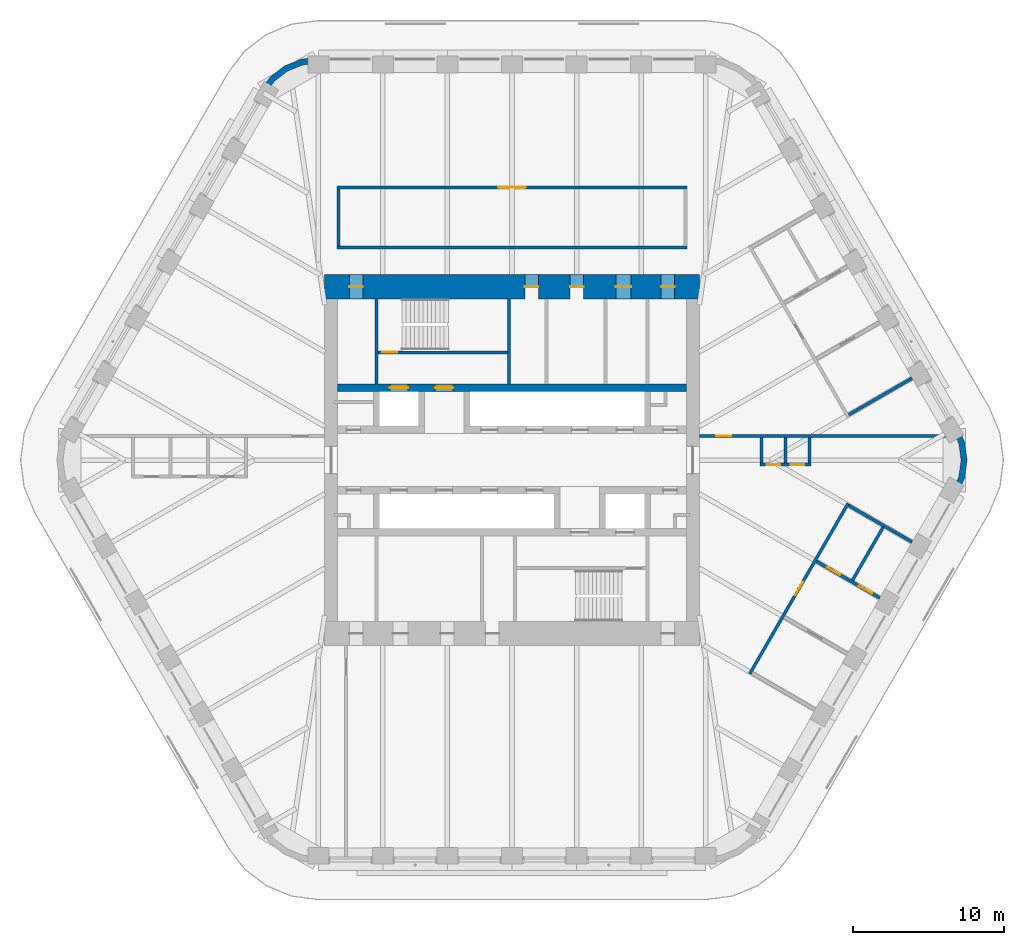
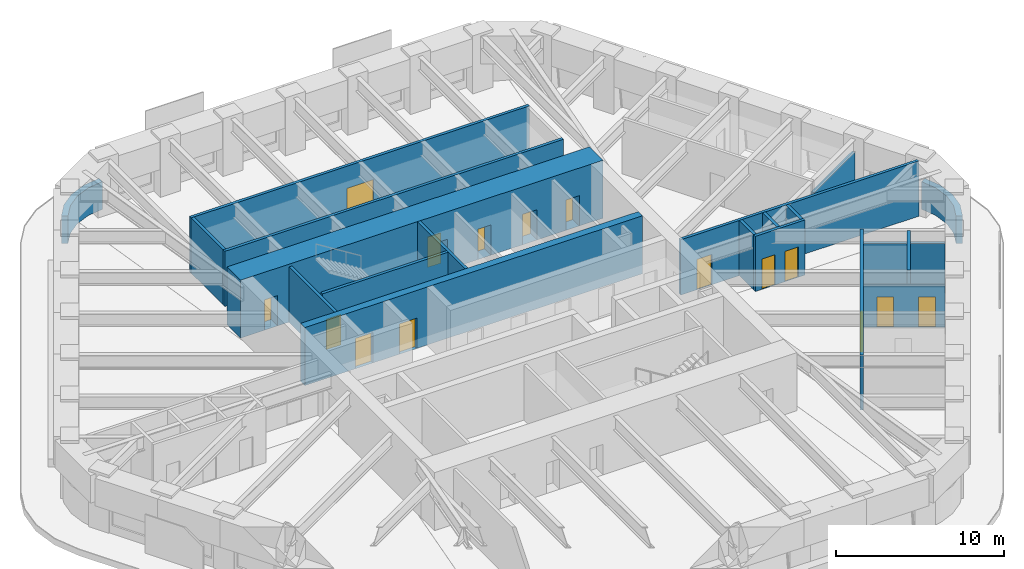
# One storey, part 15 of 18: 20 walls, 15 doors, 15 openings.
"""IFC4 building model written with IfcOpenShell, lengths in metres."""

from ifc_helpers import new_model, si_unit, direction, frame, frame_2d, origin, place, context, subcontext, project, spatial, polyline, rectangle, outline, extrude, material, layer, layer_set, type_object, element, fill, save


model = new_model("IFC4")

# Units and contexts
model_context = context("Model", 3, precision=1e-05, world=origin(), true_north=direction((0.0, 1.0)))
body_context = subcontext(model_context, "Body", "Model", "MODEL_VIEW")
ifc_project = project(units=[si_unit("LENGTHUNIT", "METRE"), si_unit("AREAUNIT", "SQUARE_METRE"), si_unit("VOLUMEUNIT", "CUBIC_METRE"), si_unit("PLANEANGLEUNIT", "RADIAN"), si_unit("MASSUNIT", "GRAM", prefix="KILO")], contexts=[model_context])

# Site, building, storey
site_placement = place(None, origin())
site = spatial("IfcSite", under=ifc_project, at=site_placement, CompositionType="ELEMENT")
building_placement = place(site_placement, origin())
building = spatial("IfcBuilding", under=site, at=building_placement, Name="Tarfa Lantern Tower", CompositionType="ELEMENT")
storey_placement = place(building_placement, frame((0.0, 0.0, 315.699951171875)))
storey = spatial("IfcBuildingStorey", under=building, at=storey_placement, Name="L71", CompositionType="ELEMENT", Elevation=315.699951171875)

# Walls
ifc_material_1 = material(Name="Limestone cladding on blockwork", Category="masonry")
ifc_layer_1 = layer(ifc_material_1, 0.39990234375)
ifc_layer_set_1 = layer_set([ifc_layer_1], Name="EW2 CURVED STONE CORNER 400")
wall_type_1 = type_object("IfcWallType", Name="EW2 CURVED STONE CORNER 400", PredefinedType="SOLIDWALL", material=ifc_layer_set_1)
wall_1_placement = place(storey_placement, origin())
element("IfcWall", 1, at=wall_1_placement, inside=storey, type_object=wall_type_1, Name="Stone corner N-NW", PredefinedType="SOLIDWALL", context=body_context, shape_type="SweptSolid", body=[
    extrude(outline(polyline([(-12.845947265625, 26.75), (-14.0107421875, 26.5966796875), (-15.095947265625, 26.147216796875), (-16.028076171875, 25.431884765625), (-16.7431640625, 24.5), (-16.396728515625, 24.300048828125), (-15.7451171875, 25.149169921875), (-14.89599609375, 25.80078125), (-13.9072265625, 26.210205078125), (-12.845947265625, 26.35009765625), (-12.845947265625, 26.75)])), origin(), (0.0, 0.0, 1.0), 2.0),
])
wall_2_placement = place(storey_placement, origin())
element("IfcWall", 2, at=wall_2_placement, inside=storey, type_object=wall_type_1, Name="Stone corner SE-NE", PredefinedType="SOLIDWALL", context=body_context, shape_type="SweptSolid", body=[
    extrude(outline(polyline([(29.589111328125, -2.25), (30.038818359375, -1.164794921875), (30.192138671875, 0.0), (30.038818359375, 1.164794921875), (29.589111328125, 2.25), (29.24267578125, 2.050048828125), (29.65234375, 1.061279296875), (29.7919921875, 0.0), (29.65234375, -1.061279296875), (29.24267578125, -2.050048828125), (29.589111328125, -2.25)])), origin(), (0.0, 0.0, 1.0), 2.0),
])
ifc_material_2 = material(Name="Concrete blockwork", Category="masonry")
ifc_layer_2 = layer(ifc_material_2, 0.199951171875)
ifc_layer_set_2 = layer_set([ifc_layer_2], Name="IW1 BLOCKWORK PARTITION 200 EI 120")
wall_type_2 = type_object("IfcWallType", Name="IW1 BLOCKWORK PARTITION 200 EI 120", PredefinedType="PARTITIONING", material=ifc_layer_set_2)
wall_3_placement = place(storey_placement, frame((-9.0, 5.050048828125, 0.0), z_axis=(0.0, 0.0, 1.0), x_axis=(0.0, 1.0, 0.0)))
element("IfcWall", 3, at=wall_3_placement, inside=storey, type_object=wall_type_2, Name="Core partition", PredefinedType="PARTITIONING", context=body_context, shape_type="SweptSolid", body=[
    extrude(rectangle(XDim=5.64990234375, YDim=0.199951171875, at=frame_2d((2.824951171875, 0.0))), origin(), (0.0, 0.0, 1.0), 4.0),
])
ifc_material_3 = material(Name="Gypsum board on steel studs", Category="steel")
ifc_layer_3 = layer(ifc_material_3, 0.2099609375)
ifc_layer_set_3 = layer_set([ifc_layer_3], Name="IW2 ACOUSTIC PARTITION 200")
wall_type_3 = type_object("IfcWallType", Name="IW2 ACOUSTIC PARTITION 200", PredefinedType="PARTITIONING", material=ifc_layer_set_3)
wall_4_placement = place(storey_placement, frame((-11.60009765625, 14.10009765625, 0.0), z_axis=(0.0, 0.0, 1.0), x_axis=(1.0, 0.0, 0.0)))
element("IfcWall", 4, at=wall_4_placement, inside=storey, type_object=wall_type_3, Name="Partition", PredefinedType="PARTITIONING", context=body_context, shape_type="SweptSolid", body=[
    extrude(rectangle(XDim=23.2001953125, YDim=0.199951171875, at=frame_2d((11.60009765625, 0.0))), origin(), (0.0, 0.0, 1.0), 4.0),
])

# Wall, opening, door
wall_5_placement = place(storey_placement, frame((-11.60009765625, 18.10009765625, 0.0), z_axis=(0.0, 0.0, 1.0), x_axis=(1.0, 0.0, 0.0)))
wall_5 = element("IfcWall", 5, at=wall_5_placement, inside=storey, type_object=wall_type_3, Name="Partition", PredefinedType="PARTITIONING", context=body_context, shape_type="SweptSolid", body=[
    extrude(rectangle(XDim=23.2001953125, YDim=0.199951171875, at=frame_2d((11.60009765625, 0.0))), origin(), (0.0, 0.0, 1.0), 4.0),
])
opening_1_placement = place(wall_5_placement, frame((10.699951171875, 0.0, 0.0)))
opening_1 = element("IfcOpeningElement", 6, at=opening_1_placement, cuts=wall_5, Name="Opening D29", PredefinedType="OPENING", context=body_context, shape_type="SweptSolid", body=[
    extrude(rectangle(XDim=1.800048828125, YDim=2.39990234375, at=frame_2d((0.89990234375, 1.199951171875))), frame((0.0, 0.10986328125, 0.0), z_axis=(0.0, -1.0, 0.0), x_axis=(1.0, 0.0, 0.0)), (0.0, 0.0, 1.0), 0.219970703125),
])
ifc_material_4 = material(Name="Timber door", Category="wood")
door_type_1 = type_object("IfcDoorType", Name="DR2 ROOM DOOR 1800x2400", OperationType="DOUBLE_DOOR_SINGLE_SWING", PredefinedType="DOOR", material=ifc_material_4)
door_1_placement = place(opening_1_placement, frame((1.800048828125, 0.0, 0.0), z_axis=(0.0, 0.0, 1.0), x_axis=(-1.0, 0.0, 0.0)))
door_1 = element("IfcDoor", 7, at=door_1_placement, inside=storey, type_object=door_type_1, Name="Meeting room door", OperationType="DOUBLE_DOOR_SINGLE_SWING", OverallHeight=2.39990234375, OverallWidth=1.800048828125, PredefinedType="DOOR", context=body_context, shape_type="SweptSolid", body=[
    extrude(rectangle(XDim=1.800048828125, YDim=2.39990234375, at=frame_2d((0.89990234375, 1.199951171875))), frame((0.0, 0.02490234375, 0.0), z_axis=(0.0, -1.0, 0.0), x_axis=(1.0, 0.0, 0.0)), (0.0, 0.0, 1.0), 0.050048828125),
])
fill(opening_1, door_1)

# Walls
wall_6_placement = place(storey_placement, frame((-11.5, 14.199951171875, 0.0), z_axis=(0.0, 0.0, 1.0), x_axis=(0.0, 1.0, 0.0)))
element("IfcWall", 8, at=wall_6_placement, inside=storey, type_object=wall_type_3, Name="Partition", PredefinedType="PARTITIONING", context=body_context, shape_type="SweptSolid", body=[
    extrude(rectangle(XDim=3.800048828125, YDim=0.199951171875, at=frame_2d((1.89990234375, 0.0))), origin(), (0.0, 0.0, 1.0), 4.0),
])
wall_7_placement = place(storey_placement, frame((22.338623046875, 3.00830078125, 0.0), z_axis=(0.0, 0.0, 1.0), x_axis=(0.866019606374, 0.500010041276, 0.0)))
element("IfcWall", 9, at=wall_7_placement, inside=storey, type_object=wall_type_3, Name="Partition", PredefinedType="PARTITIONING", context=body_context, shape_type="SweptSolid", body=[
    extrude(rectangle(XDim=4.85009765625, YDim=0.199951171875, at=frame_2d((2.425048828125, 0.0))), origin(), (0.0, 0.0, 1.0), 3.08154296875),
])

# Wall, opening, door
wall_8_placement = place(storey_placement, frame((15.779052734375, -14.169921875, 0.0), z_axis=(0.0, 0.0, 1.0), x_axis=(0.499999460936, 0.866025715013, 0.0)))
wall_8 = element("IfcWall", 10, at=wall_8_placement, inside=storey, type_object=wall_type_3, Name="Partition", PredefinedType="PARTITIONING", context=body_context, shape_type="SweptSolid", body=[
    extrude(rectangle(XDim=13.0458984375, YDim=0.199951171875, at=frame_2d((6.52294921875, 0.0))), origin(), (0.0, 0.0, 1.0), 4.0),
])
opening_2_placement = place(wall_8_placement, frame((6.02294921875, 0.0, 0.0)))
opening_2 = element("IfcOpeningElement", 11, at=opening_2_placement, cuts=wall_8, Name="Opening D26", PredefinedType="OPENING", context=body_context, shape_type="SweptSolid", body=[
    extrude(rectangle(XDim=1.0, YDim=2.199951171875, at=frame_2d((0.5, 1.10009765625))), frame((0.0, 0.10986328125, 0.0), z_axis=(0.0, -1.0, 0.0), x_axis=(1.0, 0.0, 0.0)), (0.0, 0.0, 1.0), 0.219970703125),
])
door_type_2 = type_object("IfcDoorType", Name="DR1 ROOM DOOR 1000x2200", OperationType="SINGLE_SWING_LEFT", PredefinedType="DOOR", material=ifc_material_4)
door_2_placement = place(opening_2_placement, frame((1.0, 0.0, 0.0), z_axis=(0.0, 0.0, 1.0), x_axis=(-1.0, 0.0, 0.0)))
door_2 = element("IfcDoor", 12, at=door_2_placement, inside=storey, type_object=door_type_2, Name="PA area door", OperationType="SINGLE_SWING_RIGHT", OverallHeight=2.199951171875, OverallWidth=1.0, PredefinedType="DOOR", context=body_context, shape_type="SweptSolid", body=[
    extrude(rectangle(XDim=1.0, YDim=2.199951171875, at=frame_2d((0.5, 1.10009765625))), frame((0.0, 0.02490234375, 0.0), z_axis=(0.0, -1.0, 0.0), x_axis=(1.0, 0.0, 0.0)), (0.0, 0.0, 1.0), 0.050048828125),
])
fill(opening_2, door_2)

# Wall, openings, doors
wall_9_placement = place(storey_placement, frame((20.19775390625, -6.716552734375, 0.0), z_axis=(0.0, 0.0, 1.0), x_axis=(0.866019606374, -0.500010041276, 0.0)))
wall_9 = element("IfcWall", 13, at=wall_9_placement, inside=storey, type_object=wall_type_3, Name="Partition", PredefinedType="PARTITIONING", context=body_context, shape_type="SweptSolid", body=[
    extrude(rectangle(XDim=4.85009765625, YDim=0.199951171875, at=frame_2d((2.425048828125, 0.0))), origin(), (0.0, 0.0, 1.0), 2.991943359375),
])
opening_3_placement = place(wall_9_placement, frame((0.800048828125, 0.0, 0.0)))
opening_3 = element("IfcOpeningElement", 14, at=opening_3_placement, cuts=wall_9, Name="Opening D27", PredefinedType="OPENING", context=body_context, shape_type="SweptSolid", body=[
    extrude(rectangle(XDim=1.0, YDim=2.199951171875, at=frame_2d((0.5, 1.10009765625))), frame((0.0, 0.10986328125, 0.0), z_axis=(0.0, -1.0, 0.0), x_axis=(1.0, 0.0, 0.0)), (0.0, 0.0, 1.0), 0.219970703125),
])
opening_4_placement = place(wall_9_placement, frame((3.27490234375, 0.0, 0.0)))
opening_4 = element("IfcOpeningElement", 15, at=opening_4_placement, cuts=wall_9, Name="Opening D28", PredefinedType="OPENING", context=body_context, shape_type="SweptSolid", body=[
    extrude(rectangle(XDim=1.0, YDim=2.199951171875, at=frame_2d((0.5, 1.10009765625))), frame((0.0, 0.10986328125, 0.0), z_axis=(0.0, -1.0, 0.0), x_axis=(1.0, 0.0, 0.0)), (0.0, 0.0, 1.0), 0.219970703125),
])
door_3_placement = place(opening_3_placement, origin())
door_3 = element("IfcDoor", 16, at=door_3_placement, inside=storey, type_object=door_type_2, Name="Meeting room door", OperationType="SINGLE_SWING_RIGHT", OverallHeight=2.199951171875, OverallWidth=1.0, PredefinedType="DOOR", context=body_context, shape_type="SweptSolid", body=[
    extrude(rectangle(XDim=1.0, YDim=2.199951171875, at=frame_2d((0.5, 1.10009765625))), frame((0.0, 0.02490234375, 0.0), z_axis=(0.0, -1.0, 0.0), x_axis=(1.0, 0.0, 0.0)), (0.0, 0.0, 1.0), 0.050048828125),
])
fill(opening_3, door_3)
door_4_placement = place(opening_4_placement, origin())
door_4 = element("IfcDoor", 17, at=door_4_placement, inside=storey, type_object=door_type_2, Name="Pantry door", OperationType="SINGLE_SWING_RIGHT", OverallHeight=2.199951171875, OverallWidth=1.0, PredefinedType="DOOR", context=body_context, shape_type="SweptSolid", body=[
    extrude(rectangle(XDim=1.0, YDim=2.199951171875, at=frame_2d((0.5, 1.10009765625))), frame((0.0, 0.02490234375, 0.0), z_axis=(0.0, -1.0, 0.0), x_axis=(1.0, 0.0, 0.0)), (0.0, 0.0, 1.0), 0.050048828125),
])
fill(opening_4, door_4)

# Walls
wall_10_placement = place(storey_placement, frame((22.338623046875, -3.00830078125, 0.0), z_axis=(0.0, 0.0, 1.0), x_axis=(0.866019606374, -0.500010041276, 0.0)))
element("IfcWall", 18, at=wall_10_placement, inside=storey, type_object=wall_type_3, Name="Partition", PredefinedType="PARTITIONING", context=body_context, shape_type="SweptSolid", body=[
    extrude(rectangle(XDim=4.85009765625, YDim=0.199951171875, at=frame_2d((2.425048828125, 0.0))), origin(), (0.0, 0.0, 1.0), 3.08154296875),
])
wall_11_placement = place(storey_placement, frame((22.5859375, -7.97998046875, 0.0), z_axis=(0.0, 0.0, 1.0), x_axis=(0.499998569178, 0.866026229868, 0.0)))
element("IfcWall", 19, at=wall_11_placement, inside=storey, type_object=wall_type_3, Name="Partition", PredefinedType="PARTITIONING", context=body_context, shape_type="SweptSolid", body=[
    extrude(rectangle(XDim=4.08203125, YDim=0.199951171875, at=frame_2d((2.041015625, 0.0))), origin(), (0.0, 0.0, 1.0), 4.0),
])

# Wall, opening, door
wall_12_placement = place(storey_placement, frame((12.425048828125, 1.60009765625, 0.0), z_axis=(0.0, 0.0, 1.0), x_axis=(1.0, 0.0, 0.0)))
wall_12 = element("IfcWall", 20, at=wall_12_placement, inside=storey, type_object=wall_type_3, Name="Partition", PredefinedType="PARTITIONING", context=body_context, shape_type="SweptSolid", body=[
    extrude(rectangle(XDim=16.326904296875, YDim=0.199951171875, at=frame_2d((8.16357421875, 0.0))), origin(), (0.0, 0.0, 1.0), 4.0),
])
opening_5_placement = place(wall_12_placement, frame((1.1328125, 0.0, 0.0)))
opening_5 = element("IfcOpeningElement", 21, at=opening_5_placement, cuts=wall_12, Name="Opening D35", PredefinedType="OPENING", context=body_context, shape_type="SweptSolid", body=[
    extrude(rectangle(XDim=1.0, YDim=2.199951171875, at=frame_2d((0.5, 1.10009765625))), frame((0.0, 0.10986328125, 0.0), z_axis=(0.0, -1.0, 0.0), x_axis=(1.0, 0.0, 0.0)), (0.0, 0.0, 1.0), 0.219970703125),
])
door_5_placement = place(opening_5_placement, frame((1.0, 0.0, 0.0), z_axis=(0.0, 0.0, 1.0), x_axis=(-1.0, 0.0, 0.0)))
door_5 = element("IfcDoor", 22, at=door_5_placement, inside=storey, type_object=door_type_2, Name="Zone door", OperationType="SINGLE_SWING_LEFT", OverallHeight=2.199951171875, OverallWidth=1.0, PredefinedType="DOOR", context=body_context, shape_type="SweptSolid", body=[
    extrude(rectangle(XDim=1.0, YDim=2.199951171875, at=frame_2d((0.5, 1.10009765625))), frame((0.0, 0.02490234375, 0.0), z_axis=(0.0, -1.0, 0.0), x_axis=(1.0, 0.0, 0.0)), (0.0, 0.0, 1.0), 0.050048828125),
])
fill(opening_5, door_5)

# Wall, openings, doors
wall_13_placement = place(storey_placement, frame((16.439453125, -0.300048828125, 0.0), z_axis=(0.0, 0.0, 1.0), x_axis=(1.0, 0.0, 0.0)))
wall_13 = element("IfcWall", 23, at=wall_13_placement, inside=storey, type_object=wall_type_3, Name="Partition", PredefinedType="PARTITIONING", context=body_context, shape_type="SweptSolid", body=[
    extrude(rectangle(XDim=3.39990234375, YDim=0.199951171875, at=frame_2d((1.699951171875, 0.0))), origin(), (0.0, 0.0, 1.0), 4.0),
])
opening_6_placement = place(wall_13_placement, frame((0.449951171875, 0.0, 0.0)))
opening_6 = element("IfcOpeningElement", 24, at=opening_6_placement, cuts=wall_13, Name="Opening D33", PredefinedType="OPENING", context=body_context, shape_type="SweptSolid", body=[
    extrude(rectangle(XDim=0.89990234375, YDim=2.199951171875, at=frame_2d((0.449951171875, 1.10009765625))), frame((0.0, 0.10986328125, 0.0), z_axis=(0.0, -1.0, 0.0), x_axis=(1.0, 0.0, 0.0)), (0.0, 0.0, 1.0), 0.219970703125),
])
opening_7_placement = place(wall_13_placement, frame((2.050048828125, 0.0, 0.0)))
opening_7 = element("IfcOpeningElement", 25, at=opening_7_placement, cuts=wall_13, Name="Opening D34", PredefinedType="OPENING", context=body_context, shape_type="SweptSolid", body=[
    extrude(rectangle(XDim=0.89990234375, YDim=2.199951171875, at=frame_2d((0.449951171875, 1.10009765625))), frame((0.0, 0.10986328125, 0.0), z_axis=(0.0, -1.0, 0.0), x_axis=(1.0, 0.0, 0.0)), (0.0, 0.0, 1.0), 0.219970703125),
])
door_type_3 = type_object("IfcDoorType", Name="DR3 ROOM DOOR 900x2200", OperationType="SINGLE_SWING_LEFT", PredefinedType="DOOR", material=ifc_material_4)
door_6_placement = place(opening_6_placement, origin())
door_6 = element("IfcDoor", 26, at=door_6_placement, inside=storey, type_object=door_type_3, Name="Phone booth door", OperationType="SINGLE_SWING_RIGHT", OverallHeight=2.199951171875, OverallWidth=0.89990234375, PredefinedType="DOOR", context=body_context, shape_type="SweptSolid", body=[
    extrude(rectangle(XDim=0.89990234375, YDim=2.199951171875, at=frame_2d((0.449951171875, 1.10009765625))), frame((0.0, 0.02490234375, 0.0), z_axis=(0.0, -1.0, 0.0), x_axis=(1.0, 0.0, 0.0)), (0.0, 0.0, 1.0), 0.050048828125),
])
fill(opening_6, door_6)
door_7_placement = place(opening_7_placement, origin())
door_7 = element("IfcDoor", 27, at=door_7_placement, inside=storey, type_object=door_type_3, Name="Phone booth door", OperationType="SINGLE_SWING_LEFT", OverallHeight=2.199951171875, OverallWidth=0.89990234375, PredefinedType="DOOR", context=body_context, shape_type="SweptSolid", body=[
    extrude(rectangle(XDim=0.89990234375, YDim=2.199951171875, at=frame_2d((0.449951171875, 1.10009765625))), frame((0.0, 0.02490234375, 0.0), z_axis=(0.0, -1.0, 0.0), x_axis=(1.0, 0.0, 0.0)), (0.0, 0.0, 1.0), 0.050048828125),
])
fill(opening_7, door_7)

# Walls
for number, where, z_axis, x_axis, name in (
    (28, (16.53955078125, 1.5, 0.0), (0.0, 0.0, 1.0), (0.0, -1.0, 0.0), "Partition"),
    (29, (18.139404296875, 1.5, 0.0), (0.0, 0.0, 1.0), (0.0, -1.0, 0.0), "Partition"),
    (30, (19.739501953125, 1.5, 0.0), (0.0, 0.0, 1.0), (0.0, -1.0, 0.0), "Partition"),
):
    element("IfcWall", number, at=place(storey_placement, frame(where, z_axis=z_axis, x_axis=x_axis)), inside=storey, type_object=wall_type_3, Name=name, PredefinedType="PARTITIONING", context=body_context, shape_type="SweptSolid", body=[
        extrude(rectangle(XDim=1.699951171875, YDim=0.199951171875, at=frame_2d((0.85009765625, 0.0))), origin(), (0.0, 0.0, 1.0), 4.0),
    ])
ifc_material_5 = material(Name="Concrete C80/95", Category="concrete")
ifc_layer_4 = layer(ifc_material_5, 0.199951171875)
ifc_layer_set_4 = layer_set([ifc_layer_4], Name="SW12 CORE WALL 200")
wall_type_4 = type_object("IfcWallType", Name="SW12 CORE WALL 200", PredefinedType="SHEAR", material=ifc_layer_set_4)
wall_14_placement = place(storey_placement, frame((-0.199951171875, 5.050048828125, 0.0), z_axis=(0.0, 0.0, 1.0), x_axis=(0.0, 1.0, 0.0)))
element("IfcWall", 31, at=wall_14_placement, inside=storey, type_object=wall_type_4, Name="Core wall stair shaft N", PredefinedType="SHEAR", context=body_context, shape_type="SweptSolid", body=[
    extrude(rectangle(XDim=5.64990234375, YDim=0.199951171875, at=frame_2d((2.824951171875, 0.0))), origin(), (0.0, 0.0, 1.0), 4.199951171875),
])

# Wall, opening, door
wall_15_placement = place(storey_placement, frame((-8.89990234375, 7.14990234375, 0.0), z_axis=(0.0, 0.0, 1.0), x_axis=(1.0, 0.0, 0.0)))
wall_15 = element("IfcWall", 32, at=wall_15_placement, inside=storey, type_object=wall_type_4, Name="Core wall stair partition N", PredefinedType="SHEAR", context=body_context, shape_type="SweptSolid", body=[
    extrude(rectangle(XDim=8.599853515625, YDim=0.199951171875, at=frame_2d((4.2998046875, 0.0))), origin(), (0.0, 0.0, 1.0), 4.199951171875),
])
opening_8_placement = place(wall_15_placement, frame((0.300048828125, 0.0, 0.0)))
opening_8 = element("IfcOpeningElement", 33, at=opening_8_placement, cuts=wall_15, Name="Opening D19", PredefinedType="OPENING", context=body_context, shape_type="SweptSolid", body=[
    extrude(rectangle(XDim=1.0, YDim=2.199951171875, at=frame_2d((0.5, 1.10009765625))), frame((0.0, 0.10986328125, 0.0), z_axis=(0.0, -1.0, 0.0), x_axis=(1.0, 0.0, 0.0)), (0.0, 0.0, 1.0), 0.219970703125),
])
ifc_material_6 = material(Name="Steel fire door", Category="steel")
door_type_4 = type_object("IfcDoorType", Name="DF2 STAIR DOOR 1000x2200", OperationType="SINGLE_SWING_LEFT", PredefinedType="DOOR", material=ifc_material_6)
door_8_placement = place(opening_8_placement, origin())
door_8 = element("IfcDoor", 34, at=door_8_placement, inside=storey, type_object=door_type_4, Name="Stair door", OperationType="SINGLE_SWING_RIGHT", OverallHeight=2.199951171875, OverallWidth=1.0, PredefinedType="DOOR", context=body_context, shape_type="SweptSolid", body=[
    extrude(rectangle(XDim=1.0, YDim=2.199951171875, at=frame_2d((0.5, 1.10009765625))), frame((0.0, 0.02490234375, 0.0), z_axis=(0.0, -1.0, 0.0), x_axis=(1.0, 0.0, 0.0)), (0.0, 0.0, 1.0), 0.050048828125),
])
fill(opening_8, door_8)

# Wall, openings, doors
ifc_layer_5 = layer(ifc_material_5, 0.5)
ifc_layer_set_5 = layer_set([ifc_layer_5], Name="SW5 CORE WALL 500")
wall_type_5 = type_object("IfcWallType", Name="SW5 CORE WALL 500", PredefinedType="SHEAR", material=ifc_layer_set_5)
wall_16_placement = place(storey_placement, frame((-11.574951171875, 4.800048828125, 0.0), z_axis=(0.0, 0.0, 1.0), x_axis=(1.0, 0.0, 0.0)))
wall_16 = element("IfcWall", 35, at=wall_16_placement, inside=storey, type_object=wall_type_5, Name="Core wall rear N", PredefinedType="SHEAR", context=body_context, shape_type="SweptSolid", body=[
    extrude(rectangle(XDim=23.14990234375, YDim=0.5, at=frame_2d((11.574951171875, 0.0))), origin(), (0.0, 0.0, 1.0), 4.199951171875),
])
opening_9_placement = place(wall_16_placement, frame((6.47509765625, 0.0, 0.0)))
opening_9 = element("IfcOpeningElement", 36, at=opening_9_placement, cuts=wall_16, Name="Opening D05", PredefinedType="OPENING", context=body_context, shape_type="SweptSolid", body=[
    extrude(rectangle(XDim=1.199951171875, YDim=2.199951171875, at=frame_2d((0.60009765625, 1.10009765625))), frame((0.0, 0.260009765625, 0.0), z_axis=(0.0, -1.0, 0.0), x_axis=(1.0, 0.0, 0.0)), (0.0, 0.0, 1.0), 0.52001953125),
])
opening_10_placement = place(wall_16_placement, frame((3.47509765625, 0.0, 0.0)))
opening_10 = element("IfcOpeningElement", 37, at=opening_10_placement, cuts=wall_16, Name="Opening LD01", PredefinedType="OPENING", context=body_context, shape_type="SweptSolid", body=[
    extrude(rectangle(XDim=1.199951171875, YDim=2.199951171875, at=frame_2d((0.60009765625, 1.10009765625))), frame((0.0, 0.260009765625, 0.0), z_axis=(0.0, -1.0, 0.0), x_axis=(1.0, 0.0, 0.0)), (0.0, 0.0, 1.0), 0.52001953125),
])
door_type_5 = type_object("IfcDoorType", Name="DF1 FIREFIGHTING LOBBY DOOR 1200x2200", OperationType="SINGLE_SWING_LEFT", PredefinedType="DOOR", material=ifc_material_6)
door_9_placement = place(opening_9_placement, origin())
door_9 = element("IfcDoor", 38, at=door_9_placement, inside=storey, type_object=door_type_5, Name="Firefighting lobby door", OperationType="SINGLE_SWING_LEFT", OverallHeight=2.199951171875, OverallWidth=1.199951171875, PredefinedType="DOOR", context=body_context, shape_type="SweptSolid", body=[
    extrude(rectangle(XDim=1.199951171875, YDim=2.199951171875, at=frame_2d((0.60009765625, 1.10009765625))), frame((0.0, 0.02490234375, 0.0), z_axis=(0.0, -1.0, 0.0), x_axis=(1.0, 0.0, 0.0)), (0.0, 0.0, 1.0), 0.050048828125),
])
fill(opening_9, door_9)
ifc_material_7 = material(Name="Stainless steel lift door", Category="steel")
door_type_6 = type_object("IfcDoorType", Name="LD1 LIFT LANDING DOOR 1200x2200", OperationType="SLIDING_TO_LEFT", PredefinedType="DOOR", material=ifc_material_7)
door_10_placement = place(opening_10_placement, origin())
door_10 = element("IfcDoor", 39, at=door_10_placement, inside=storey, type_object=door_type_6, Name="Landing door FL1", OperationType="SLIDING_TO_LEFT", OverallHeight=2.199951171875, OverallWidth=1.199951171875, PredefinedType="DOOR", context=body_context, shape_type="SweptSolid", body=[
    extrude(rectangle(XDim=1.199951171875, YDim=2.199951171875, at=frame_2d((0.60009765625, 1.10009765625))), frame((0.0, 0.02490234375, 0.0), z_axis=(0.0, -1.0, 0.0), x_axis=(1.0, 0.0, 0.0)), (0.0, 0.0, 1.0), 0.050048828125),
])
fill(opening_10, door_10)

ifc_layer_6 = layer(ifc_material_5, 1.60009765625)
ifc_layer_set_6 = layer_set([ifc_layer_6], Name="SW7 CORE WALL 1600")
wall_type_6 = type_object("IfcWallType", Name="SW7 CORE WALL 1600", PredefinedType="SHEAR", material=ifc_layer_set_6)
wall_17_placement = place(storey_placement, frame((-12.425048828125, 11.5, 0.0), z_axis=(0.0, 0.0, 1.0), x_axis=(1.0, 0.0, 0.0)))
wall_17 = element("IfcWall", 40, at=wall_17_placement, inside=storey, type_object=wall_type_6, Name="Core wall N", PredefinedType="SHEAR", context=body_context, shape_type="SweptSolid", body=[
    extrude(rectangle(XDim=24.85009765625, YDim=1.60009765625, at=frame_2d((12.425048828125, 0.0))), origin(), (0.0, 0.0, 1.0), 4.199951171875),
])
opening_11_placement = place(wall_17_placement, frame((13.27490234375, 0.0, 0.0)))
opening_11 = element("IfcOpeningElement", 41, at=opening_11_placement, cuts=wall_17, Name="Opening D13", PredefinedType="OPENING", context=body_context, shape_type="SweptSolid", body=[
    extrude(rectangle(XDim=0.89990234375, YDim=2.199951171875, at=frame_2d((0.449951171875, 1.10009765625))), frame((0.0, 0.81005859375, 0.0), z_axis=(0.0, -1.0, 0.0), x_axis=(1.0, 0.0, 0.0)), (0.0, 0.0, 1.0), 1.6201171875),
])
opening_12_placement = place(wall_17_placement, frame((16.27490234375, 0.0, 0.0)))
opening_12 = element("IfcOpeningElement", 42, at=opening_12_placement, cuts=wall_17, Name="Opening D15", PredefinedType="OPENING", context=body_context, shape_type="SweptSolid", body=[
    extrude(rectangle(XDim=0.89990234375, YDim=2.199951171875, at=frame_2d((0.449951171875, 1.10009765625))), frame((0.0, 0.81005859375, 0.0), z_axis=(0.0, -1.0, 0.0), x_axis=(1.0, 0.0, 0.0)), (0.0, 0.0, 1.0), 1.6201171875),
])
opening_13_placement = place(wall_17_placement, frame((19.324951171875, 0.0, 0.0)))
opening_13 = element("IfcOpeningElement", 43, at=opening_13_placement, cuts=wall_17, Name="Opening D17", PredefinedType="OPENING", context=body_context, shape_type="SweptSolid", body=[
    extrude(rectangle(XDim=1.0, YDim=2.199951171875, at=frame_2d((0.5, 1.10009765625))), frame((0.0, 0.81005859375, 0.0), z_axis=(0.0, -1.0, 0.0), x_axis=(1.0, 0.0, 0.0)), (0.0, 0.0, 1.0), 1.6201171875),
])
opening_14_placement = place(wall_17_placement, frame((1.637451171875, 0.0, 0.0)))
opening_14 = element("IfcOpeningElement", 44, at=opening_14_placement, cuts=wall_17, Name="Opening D03", PredefinedType="OPENING", context=body_context, shape_type="SweptSolid", body=[
    extrude(rectangle(XDim=0.89990234375, YDim=2.199951171875, at=frame_2d((0.449951171875, 1.10009765625))), frame((0.0, 0.81005859375, 0.0), z_axis=(0.0, -1.0, 0.0), x_axis=(1.0, 0.0, 0.0)), (0.0, 0.0, 1.0), 1.6201171875),
])
opening_15_placement = place(wall_17_placement, frame((22.3125, 0.0, 0.0)))
opening_15 = element("IfcOpeningElement", 45, at=opening_15_placement, cuts=wall_17, Name="Opening D01", PredefinedType="OPENING", context=body_context, shape_type="SweptSolid", body=[
    extrude(rectangle(XDim=0.89990234375, YDim=2.199951171875, at=frame_2d((0.449951171875, 1.10009765625))), frame((0.0, 0.81005859375, 0.0), z_axis=(0.0, -1.0, 0.0), x_axis=(1.0, 0.0, 0.0)), (0.0, 0.0, 1.0), 1.6201171875),
])
door_type_7 = type_object("IfcDoorType", Name="DF3 CORE ROOM DOOR 900x2200", OperationType="SINGLE_SWING_LEFT", PredefinedType="DOOR", material=ifc_material_6)
door_11_placement = place(opening_11_placement, frame((0.89990234375, 0.0, 0.0), z_axis=(0.0, 0.0, 1.0), x_axis=(-1.0, 0.0, 0.0)))
door_11 = element("IfcDoor", 46, at=door_11_placement, inside=storey, type_object=door_type_7, Name="Core door", OperationType="SINGLE_SWING_RIGHT", OverallHeight=2.199951171875, OverallWidth=0.89990234375, PredefinedType="DOOR", context=body_context, shape_type="SweptSolid", body=[
    extrude(rectangle(XDim=0.89990234375, YDim=2.199951171875, at=frame_2d((0.449951171875, 1.10009765625))), frame((0.0, 0.02490234375, 0.0), z_axis=(0.0, -1.0, 0.0), x_axis=(1.0, 0.0, 0.0)), (0.0, 0.0, 1.0), 0.050048828125),
])
fill(opening_11, door_11)
door_12_placement = place(opening_12_placement, frame((0.89990234375, 0.0, 0.0), z_axis=(0.0, 0.0, 1.0), x_axis=(-1.0, 0.0, 0.0)))
door_12 = element("IfcDoor", 47, at=door_12_placement, inside=storey, type_object=door_type_7, Name="Core door", OperationType="SINGLE_SWING_RIGHT", OverallHeight=2.199951171875, OverallWidth=0.89990234375, PredefinedType="DOOR", context=body_context, shape_type="SweptSolid", body=[
    extrude(rectangle(XDim=0.89990234375, YDim=2.199951171875, at=frame_2d((0.449951171875, 1.10009765625))), frame((0.0, 0.02490234375, 0.0), z_axis=(0.0, -1.0, 0.0), x_axis=(1.0, 0.0, 0.0)), (0.0, 0.0, 1.0), 0.050048828125),
])
fill(opening_12, door_12)
door_type_8 = type_object("IfcDoorType", Name="DF4 CORE ROOM DOOR 1000x2200", OperationType="SINGLE_SWING_LEFT", PredefinedType="DOOR", material=ifc_material_6)
door_13_placement = place(opening_13_placement, frame((1.0, 0.0, 0.0), z_axis=(0.0, 0.0, 1.0), x_axis=(-1.0, 0.0, 0.0)))
door_13 = element("IfcDoor", 48, at=door_13_placement, inside=storey, type_object=door_type_8, Name="Core door", OperationType="SINGLE_SWING_LEFT", OverallHeight=2.199951171875, OverallWidth=1.0, PredefinedType="DOOR", context=body_context, shape_type="SweptSolid", body=[
    extrude(rectangle(XDim=1.0, YDim=2.199951171875, at=frame_2d((0.5, 1.10009765625))), frame((0.0, 0.02490234375, 0.0), z_axis=(0.0, -1.0, 0.0), x_axis=(1.0, 0.0, 0.0)), (0.0, 0.0, 1.0), 0.050048828125),
])
fill(opening_13, door_13)
door_type_9 = type_object("IfcDoorType", Name="DF5 RISER DOOR 900x2200", OperationType="SINGLE_SWING_LEFT", PredefinedType="DOOR", material=ifc_material_6)
door_14_placement = place(opening_14_placement, frame((0.89990234375, 0.0, 0.0), z_axis=(0.0, 0.0, 1.0), x_axis=(-1.0, 0.0, 0.0)))
door_14 = element("IfcDoor", 49, at=door_14_placement, inside=storey, type_object=door_type_9, Name="Riser door", OperationType="SINGLE_SWING_LEFT", OverallHeight=2.199951171875, OverallWidth=0.89990234375, PredefinedType="DOOR", context=body_context, shape_type="SweptSolid", body=[
    extrude(rectangle(XDim=0.89990234375, YDim=2.199951171875, at=frame_2d((0.449951171875, 1.10009765625))), frame((0.0, 0.02490234375, 0.0), z_axis=(0.0, -1.0, 0.0), x_axis=(1.0, 0.0, 0.0)), (0.0, 0.0, 1.0), 0.050048828125),
])
fill(opening_14, door_14)
door_15_placement = place(opening_15_placement, frame((0.89990234375, 0.0, 0.0), z_axis=(0.0, 0.0, 1.0), x_axis=(-1.0, 0.0, 0.0)))
door_15 = element("IfcDoor", 50, at=door_15_placement, inside=storey, type_object=door_type_9, Name="Riser door", OperationType="SINGLE_SWING_RIGHT", OverallHeight=2.199951171875, OverallWidth=0.89990234375, PredefinedType="DOOR", context=body_context, shape_type="SweptSolid", body=[
    extrude(rectangle(XDim=0.89990234375, YDim=2.199951171875, at=frame_2d((0.449951171875, 1.10009765625))), frame((0.0, 0.02490234375, 0.0), z_axis=(0.0, -1.0, 0.0), x_axis=(1.0, 0.0, 0.0)), (0.0, 0.0, 1.0), 0.050048828125),
])
fill(opening_15, door_15)

save(model, "model.ifc")
